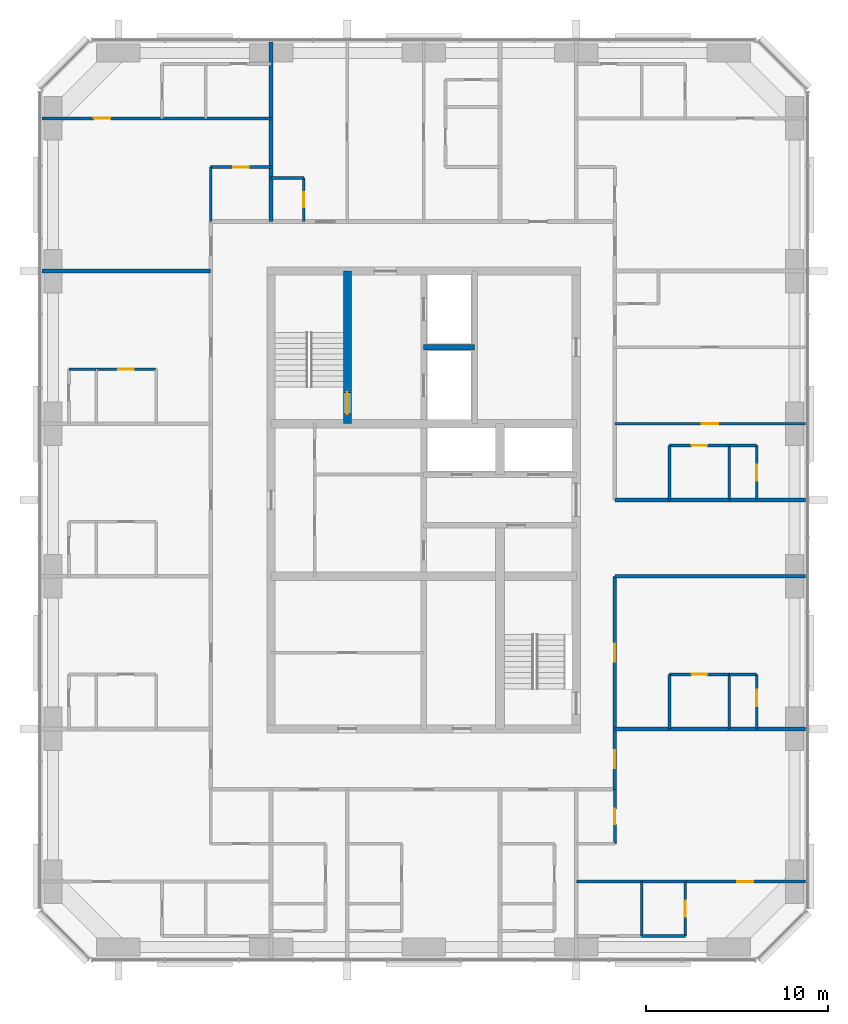
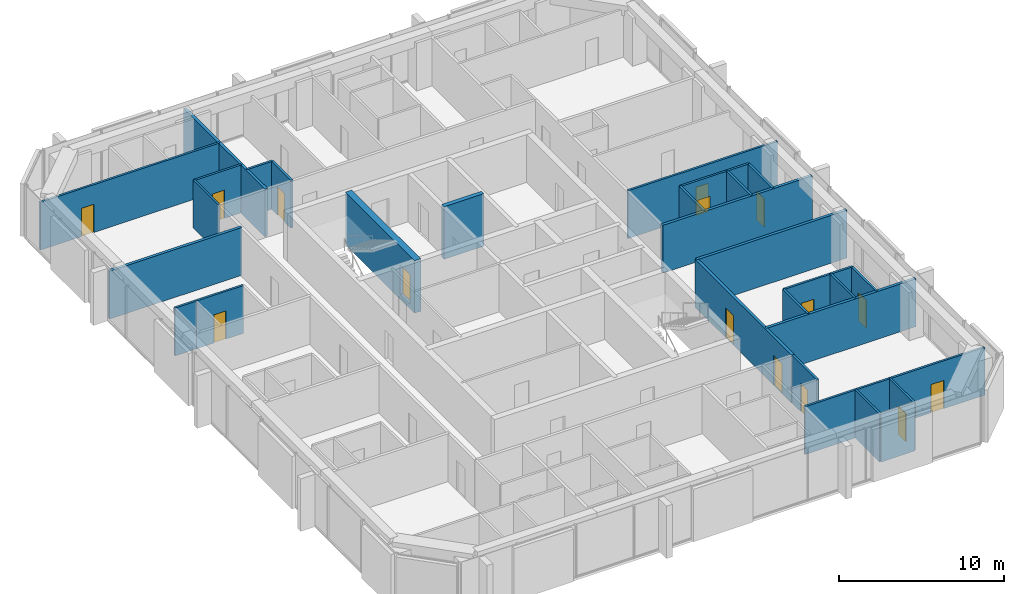
# One storey, part 9 of 12: 31 walls, 15 doors, 15 openings.
"""IFC4 building model written with IfcOpenShell, lengths in metres."""

from ifc_helpers import new_model, si_unit, direction, frame, frame_2d, origin, place, context, subcontext, project, spatial, rectangle, extrude, material, layer, layer_set, type_object, element, fill, save


model = new_model("IFC4")

# Units and contexts
model_context = context("Model", 3, precision=1e-05, world=origin(), true_north=direction((0.0, 1.0)))
body_context = subcontext(model_context, "Body", "Model", "MODEL_VIEW")
ifc_project = project(units=[si_unit("LENGTHUNIT", "METRE"), si_unit("AREAUNIT", "SQUARE_METRE"), si_unit("VOLUMEUNIT", "CUBIC_METRE"), si_unit("PLANEANGLEUNIT", "RADIAN"), si_unit("MASSUNIT", "GRAM", prefix="KILO")], contexts=[model_context])

# Site, building, storey
site_placement = place(None, origin())
site = spatial("IfcSite", under=ifc_project, at=site_placement, CompositionType="ELEMENT")
building_placement = place(site_placement, origin())
building = spatial("IfcBuilding", under=site, at=building_placement, Name="Dunama Terrace Hotel", CompositionType="ELEMENT")
storey_placement = place(building_placement, frame((0.0, 0.0, 249.0)))
storey = spatial("IfcBuildingStorey", under=building, at=storey_placement, Name="L64", CompositionType="ELEMENT", Elevation=249.0)

# Wall
ifc_material_1 = material(Name="Gypsum board partition", Category="masonry")
ifc_layer_1 = layer(ifc_material_1, 0.14990234375)
ifc_layer_set_1 = layer_set([ifc_layer_1], Name="Bathroom partition 150")
wall_type_1 = type_object("IfcWallType", Name="Bathroom partition 150", PredefinedType="PARTITIONING", material=ifc_layer_set_1)
wall_1_placement = place(storey_placement, frame((21.875, 44.72509765625, 0.0), z_axis=(0.0, 0.0, 1.0), x_axis=(0.0, 1.0, 0.0)))
element("IfcWall", 1, at=wall_1_placement, inside=storey, type_object=wall_type_1, Name="Bathroom partition 150 L64", PredefinedType="PARTITIONING", context=body_context, shape_type="SweptSolid", body=[
    extrude(rectangle(XDim=3.0, YDim=0.14990234375, at=frame_2d((1.5, 0.0))), origin(), (0.0, 0.0, 1.0), 3.550048828125),
])

# Wall, opening, door
wall_2_placement = place(storey_placement, frame((27.0, 44.72509765625, 0.0), z_axis=(0.0, 0.0, 1.0), x_axis=(0.0, 1.0, 0.0)))
wall_2 = element("IfcWall", 2, at=wall_2_placement, inside=storey, type_object=wall_type_1, Name="Bathroom partition 150 L64", PredefinedType="PARTITIONING", context=body_context, shape_type="SweptSolid", body=[
    extrude(rectangle(XDim=2.39990234375, YDim=0.14990234375, at=frame_2d((1.199951171875, 0.0))), origin(), (0.0, 0.0, 1.0), 3.550048828125),
])
opening_1_placement = place(wall_2_placement, frame((0.77490234375, 0.0, 0.0)))
opening_1 = element("IfcOpeningElement", 3, at=opening_1_placement, cuts=wall_2, Name="Opening L62-64-026", PredefinedType="OPENING", context=body_context, shape_type="SweptSolid", body=[
    extrude(rectangle(XDim=0.85009765625, YDim=2.10009765625, at=frame_2d((0.425048828125, 1.050048828125))), frame((0.0, 0.0849609375, 0.0), z_axis=(0.0, -1.0, 0.0), x_axis=(1.0, 0.0, 0.0)), (0.0, 0.0, 1.0), 0.169921875),
])
ifc_material_2 = material(Name="Timber door with steel frame", Category="steel")
door_type_1 = type_object("IfcDoorType", Name="Bathroom door 850", OperationType="SINGLE_SWING_LEFT", PredefinedType="DOOR", material=ifc_material_2)
door_1_placement = place(opening_1_placement, origin())
door_1 = element("IfcDoor", 4, at=door_1_placement, inside=storey, type_object=door_type_1, Name="Door to powder room L62-64-026, type D2", OperationType="SINGLE_SWING_LEFT", OverallHeight=2.10009765625, OverallWidth=0.85009765625, PredefinedType="DOOR", context=body_context, shape_type="SweptSolid", body=[
    extrude(rectangle(XDim=0.85009765625, YDim=2.10009765625, at=frame_2d((0.425048828125, 1.050048828125))), frame((0.0, 0.02490234375, 0.0), z_axis=(0.0, -1.0, 0.0), x_axis=(1.0, 0.0, 0.0)), (0.0, 0.0, 1.0), 0.050048828125),
])
fill(opening_1, door_1)

wall_3_placement = place(storey_placement, frame((44.125, 10.47509765625, 0.0), z_axis=(0.0, 0.0, 1.0), x_axis=(0.0, 1.0, 0.0)))
wall_3 = element("IfcWall", 5, at=wall_3_placement, inside=storey, type_object=wall_type_1, Name="Bathroom partition 150 L64", PredefinedType="PARTITIONING", context=body_context, shape_type="SweptSolid", body=[
    extrude(rectangle(XDim=3.0, YDim=0.14990234375, at=frame_2d((1.5, 0.0))), origin(), (0.0, 0.0, 1.0), 3.550048828125),
])
opening_2_placement = place(wall_3_placement, frame((1.074951171875, 0.0, 0.0)))
opening_2 = element("IfcOpeningElement", 6, at=opening_2_placement, cuts=wall_3, Name="Opening L62-64-047", PredefinedType="OPENING", context=body_context, shape_type="SweptSolid", body=[
    extrude(rectangle(XDim=0.85009765625, YDim=2.10009765625, at=frame_2d((0.425048828125, 1.050048828125))), frame((0.0, 0.0849609375, 0.0), z_axis=(0.0, -1.0, 0.0), x_axis=(1.0, 0.0, 0.0)), (0.0, 0.0, 1.0), 0.169921875),
])
door_2_placement = place(opening_2_placement, origin())
door_2 = element("IfcDoor", 7, at=door_2_placement, inside=storey, type_object=door_type_1, Name="Door to powder room L62-64-047, type D2", OperationType="SINGLE_SWING_RIGHT", OverallHeight=2.10009765625, OverallWidth=0.85009765625, PredefinedType="DOOR", context=body_context, shape_type="SweptSolid", body=[
    extrude(rectangle(XDim=0.85009765625, YDim=2.10009765625, at=frame_2d((0.425048828125, 1.050048828125))), frame((0.0, 0.02490234375, 0.0), z_axis=(0.0, -1.0, 0.0), x_axis=(1.0, 0.0, 0.0)), (0.0, 0.0, 1.0), 0.050048828125),
])
fill(opening_2, door_2)

# Walls
for number, where, z_axis, x_axis, name in (
    (8, (47.125, 16.800048828125, 0.0), (0.0, 0.0, 1.0), (0.0, 1.0, 0.0), "Bathroom partition 150 L64"),
    (9, (47.125, 29.39990234375, 0.0), (0.0, 0.0, 1.0), (0.0, 1.0, 0.0), "Bathroom partition 150 L64"),
):
    element("IfcWall", number, at=place(storey_placement, frame(where, z_axis=z_axis, x_axis=x_axis)), inside=storey, type_object=wall_type_1, Name=name, PredefinedType="PARTITIONING", context=body_context, shape_type="SweptSolid", body=[
        extrude(rectangle(XDim=3.0, YDim=0.14990234375, at=frame_2d((1.5, 0.0))), origin(), (0.0, 0.0, 1.0), 3.550048828125),
    ])

# Wall, opening, door
wall_4_placement = place(storey_placement, frame((47.125, 19.800048828125, 0.0), z_axis=(0.0, 0.0, 1.0), x_axis=(1.0, 0.0, 0.0)))
wall_4 = element("IfcWall", 10, at=wall_4_placement, inside=storey, type_object=wall_type_1, Name="Bathroom partition 150 L64", PredefinedType="PARTITIONING", context=body_context, shape_type="SweptSolid", body=[
    extrude(rectangle(XDim=3.300048828125, YDim=0.14990234375, at=frame_2d((1.64990234375, 0.0))), origin(), (0.0, 0.0, 1.0), 3.550048828125),
])
opening_3_placement = place(wall_4_placement, frame((1.22509765625, 0.0, 0.0)))
opening_3 = element("IfcOpeningElement", 11, at=opening_3_placement, cuts=wall_4, Name="Opening L62-64-017", PredefinedType="OPENING", context=body_context, shape_type="SweptSolid", body=[
    extrude(rectangle(XDim=0.85009765625, YDim=2.10009765625, at=frame_2d((0.425048828125, 1.050048828125))), frame((0.0, 0.0849609375, 0.0), z_axis=(0.0, -1.0, 0.0), x_axis=(1.0, 0.0, 0.0)), (0.0, 0.0, 1.0), 0.169921875),
])
door_3_placement = place(opening_3_placement, frame((0.85009765625, 0.0, 0.0), z_axis=(0.0, 0.0, 1.0), x_axis=(-1.0, 0.0, 0.0)))
door_3 = element("IfcDoor", 12, at=door_3_placement, inside=storey, type_object=door_type_1, Name="Door to en-suite bathroom L62-64-017, type D2", OperationType="SINGLE_SWING_LEFT", OverallHeight=2.10009765625, OverallWidth=0.85009765625, PredefinedType="DOOR", context=body_context, shape_type="SweptSolid", body=[
    extrude(rectangle(XDim=0.85009765625, YDim=2.10009765625, at=frame_2d((0.425048828125, 1.050048828125))), frame((0.0, 0.025146484375, 0.0), z_axis=(0.0, -1.0, 0.0), x_axis=(1.0, 0.0, 0.0)), (0.0, 0.0, 1.0), 0.050048828125),
])
fill(opening_3, door_3)

wall_5_placement = place(storey_placement, frame((47.125, 32.39990234375, 0.0), z_axis=(0.0, 0.0, 1.0), x_axis=(1.0, 0.0, 0.0)))
wall_5 = element("IfcWall", 13, at=wall_5_placement, inside=storey, type_object=wall_type_1, Name="Bathroom partition 150 L64", PredefinedType="PARTITIONING", context=body_context, shape_type="SweptSolid", body=[
    extrude(rectangle(XDim=3.300048828125, YDim=0.14990234375, at=frame_2d((1.64990234375, 0.0))), origin(), (0.0, 0.0, 1.0), 3.550048828125),
])
opening_4_placement = place(wall_5_placement, frame((1.22509765625, 0.0, 0.0)))
opening_4 = element("IfcOpeningElement", 14, at=opening_4_placement, cuts=wall_5, Name="Opening L62-64-023", PredefinedType="OPENING", context=body_context, shape_type="SweptSolid", body=[
    extrude(rectangle(XDim=0.85009765625, YDim=2.10009765625, at=frame_2d((0.425048828125, 1.050048828125))), frame((0.0, 0.0849609375, 0.0), z_axis=(0.0, -1.0, 0.0), x_axis=(1.0, 0.0, 0.0)), (0.0, 0.0, 1.0), 0.169921875),
])
door_4_placement = place(opening_4_placement, frame((0.85009765625, 0.0, 0.0), z_axis=(0.0, 0.0, 1.0), x_axis=(-1.0, 0.0, 0.0)))
door_4 = element("IfcDoor", 15, at=door_4_placement, inside=storey, type_object=door_type_1, Name="Door to en-suite bathroom L62-64-023, type D2", OperationType="SINGLE_SWING_RIGHT", OverallHeight=2.10009765625, OverallWidth=0.85009765625, PredefinedType="DOOR", context=body_context, shape_type="SweptSolid", body=[
    extrude(rectangle(XDim=0.85009765625, YDim=2.10009765625, at=frame_2d((0.425048828125, 1.050048828125))), frame((0.0, 0.025146484375, 0.0), z_axis=(0.0, -1.0, 0.0), x_axis=(1.0, 0.0, 0.0)), (0.0, 0.0, 1.0), 0.050048828125),
])
fill(opening_4, door_4)

wall_6_placement = place(storey_placement, frame((15.574951171875, 36.60009765625, 0.0), z_axis=(0.0, 0.0, 1.0), x_axis=(1.0, 0.0, 0.0)))
wall_6 = element("IfcWall", 16, at=wall_6_placement, inside=storey, type_object=wall_type_1, Name="Bathroom partition 150 L64", PredefinedType="PARTITIONING", context=body_context, shape_type="SweptSolid", body=[
    extrude(rectangle(XDim=3.300048828125, YDim=0.14990234375, at=frame_2d((1.64990234375, 0.0))), origin(), (0.0, 0.0, 1.0), 3.550048828125),
])
opening_5_placement = place(wall_6_placement, frame((1.22509765625, 0.0, 0.0)))
opening_5 = element("IfcOpeningElement", 17, at=opening_5_placement, cuts=wall_6, Name="Opening L62-64-039", PredefinedType="OPENING", context=body_context, shape_type="SweptSolid", body=[
    extrude(rectangle(XDim=0.85009765625, YDim=2.10009765625, at=frame_2d((0.425048828125, 1.050048828125))), frame((0.0, 0.0849609375, 0.0), z_axis=(0.0, -1.0, 0.0), x_axis=(1.0, 0.0, 0.0)), (0.0, 0.0, 1.0), 0.169921875),
])
door_5_placement = place(opening_5_placement, frame((0.85009765625, 0.0, 0.0), z_axis=(0.0, 0.0, 1.0), x_axis=(-1.0, 0.0, 0.0)))
door_5 = element("IfcDoor", 18, at=door_5_placement, inside=storey, type_object=door_type_1, Name="Door to en-suite bathroom L62-64-039, type D2", OperationType="SINGLE_SWING_LEFT", OverallHeight=2.10009765625, OverallWidth=0.85009765625, PredefinedType="DOOR", context=body_context, shape_type="SweptSolid", body=[
    extrude(rectangle(XDim=0.85009765625, YDim=2.10009765625, at=frame_2d((0.425048828125, 1.050048828125))), frame((0.0, 0.025146484375, 0.0), z_axis=(0.0, -1.0, 0.0), x_axis=(1.0, 0.0, 0.0)), (0.0, 0.0, 1.0), 0.050048828125),
])
fill(opening_5, door_5)

# Wall
wall_7_placement = place(storey_placement, frame((25.199951171875, 47.125, 0.0), z_axis=(0.0, 0.0, 1.0), x_axis=(1.0, 0.0, 0.0)))
element("IfcWall", 19, at=wall_7_placement, inside=storey, type_object=wall_type_1, Name="Bathroom partition 150 L64", PredefinedType="PARTITIONING", context=body_context, shape_type="SweptSolid", body=[
    extrude(rectangle(XDim=1.800048828125, YDim=0.14990234375, at=frame_2d((0.89990234375, 0.0))), origin(), (0.0, 0.0, 1.0), 3.550048828125),
])

# Wall, opening, door
wall_8_placement = place(storey_placement, frame((21.875, 47.72509765625, 0.0), z_axis=(0.0, 0.0, 1.0), x_axis=(1.0, 0.0, 0.0)))
wall_8 = element("IfcWall", 20, at=wall_8_placement, inside=storey, type_object=wall_type_1, Name="Bathroom partition 150 L64", PredefinedType="PARTITIONING", context=body_context, shape_type="SweptSolid", body=[
    extrude(rectangle(XDim=3.324951171875, YDim=0.14990234375, at=frame_2d((1.66259765625, 0.0))), origin(), (0.0, 0.0, 1.0), 3.550048828125),
])
opening_6_placement = place(wall_8_placement, frame((1.238037109375, 0.0, 0.0)))
opening_6 = element("IfcOpeningElement", 21, at=opening_6_placement, cuts=wall_8, Name="Opening L62-64-057", PredefinedType="OPENING", context=body_context, shape_type="SweptSolid", body=[
    extrude(rectangle(XDim=0.85009765625, YDim=2.10009765625, at=frame_2d((0.425048828125, 1.050048828125))), frame((0.0, 0.0849609375, 0.0), z_axis=(0.0, -1.0, 0.0), x_axis=(1.0, 0.0, 0.0)), (0.0, 0.0, 1.0), 0.169921875),
])
door_6_placement = place(opening_6_placement, frame((0.85009765625, 0.0, 0.0), z_axis=(0.0, 0.0, 1.0), x_axis=(-1.0, 0.0, 0.0)))
door_6 = element("IfcDoor", 22, at=door_6_placement, inside=storey, type_object=door_type_1, Name="Door to powder room L62-64-057, type D2", OperationType="SINGLE_SWING_LEFT", OverallHeight=2.10009765625, OverallWidth=0.85009765625, PredefinedType="DOOR", context=body_context, shape_type="SweptSolid", body=[
    extrude(rectangle(XDim=0.85009765625, YDim=2.10009765625, at=frame_2d((0.425048828125, 1.050048828125))), frame((0.0, 0.025146484375, 0.0), z_axis=(0.0, -1.0, 0.0), x_axis=(1.0, 0.0, 0.0)), (0.0, 0.0, 1.0), 0.050048828125),
])
fill(opening_6, door_6)

# Wall
ifc_material_3 = material(Name="Concrete C50/60", Category="concrete")
ifc_layer_2 = layer(ifc_material_3, 0.300048828125)
ifc_layer_set_2 = layer_set([ifc_layer_2], Name="Core inner wall 300")
wall_type_2 = type_object("IfcWallType", Name="Core inner wall 300", PredefinedType="SHEAR", material=ifc_layer_set_2)
wall_9_placement = place(storey_placement, frame((33.60009765625, 37.800048828125, -0.35009765625), z_axis=(0.0, 0.0, 1.0), x_axis=(1.0, 0.0, 0.0)))
element("IfcWall", 23, at=wall_9_placement, inside=storey, type_object=wall_type_2, Name="Core inner wall 300 L64", PredefinedType="SHEAR", context=body_context, shape_type="SweptSolid", body=[
    extrude(rectangle(XDim=2.7998046875, YDim=0.300048828125, at=frame_2d((1.39990234375, 0.0))), origin(), (0.0, 0.0, 1.0), 3.900146484375),
])

# Wall, opening, door
ifc_material_4 = material(Name="Concrete C50/60", Category="concrete")
ifc_layer_3 = layer(ifc_material_4, 0.449951171875)
ifc_layer_set_3 = layer_set([ifc_layer_3], Name="Core inner wall 450")
wall_type_3 = type_object("IfcWallType", Name="Core inner wall 450", PredefinedType="SHEAR", material=ifc_layer_set_3)
wall_10_placement = place(storey_placement, frame((29.39990234375, 33.60009765625, -0.35009765625), z_axis=(0.0, 0.0, 1.0), x_axis=(0.0, 1.0, 0.0)))
wall_10 = element("IfcWall", 24, at=wall_10_placement, inside=storey, type_object=wall_type_3, Name="Core inner wall 450 L64", PredefinedType="SHEAR", context=body_context, shape_type="SweptSolid", body=[
    extrude(rectangle(XDim=8.39990234375, YDim=0.449951171875, at=frame_2d((4.199951171875, 0.0))), origin(), (0.0, 0.0, 1.0), 3.900146484375),
])
opening_7_placement = place(wall_10_placement, frame((0.52490234375, 0.0, 0.35009765625)))
opening_7 = element("IfcOpeningElement", 25, at=opening_7_placement, cuts=wall_10, Name="Opening L62-64-001", PredefinedType="OPENING", context=body_context, shape_type="SweptSolid", body=[
    extrude(rectangle(XDim=1.199951171875, YDim=2.199951171875, at=frame_2d((0.60009765625, 1.10009765625))), frame((0.0, 0.23486328125, 0.0), z_axis=(0.0, -1.0, 0.0), x_axis=(1.0, 0.0, 0.0)), (0.0, 0.0, 1.0), 0.469970703125),
])
ifc_material_5 = material(Name="Timber door with steel frame", Category="steel")
door_type_2 = type_object("IfcDoorType", Name="Stair door 1200", OperationType="SINGLE_SWING_LEFT", PredefinedType="DOOR", material=ifc_material_5)
door_7_placement = place(opening_7_placement, origin())
door_7 = element("IfcDoor", 26, at=door_7_placement, inside=storey, type_object=door_type_2, Name="Stair door ST1 L62-64-001, type D5", OperationType="SINGLE_SWING_LEFT", OverallHeight=2.199951171875, OverallWidth=1.199951171875, PredefinedType="DOOR", context=body_context, shape_type="SweptSolid", body=[
    extrude(rectangle(XDim=1.199951171875, YDim=2.199951171875, at=frame_2d((0.60009765625, 1.10009765625))), frame((0.0, 0.02490234375, 0.0), z_axis=(0.0, -1.0, 0.0), x_axis=(1.0, 0.0, 0.0)), (0.0, 0.0, 1.0), 0.050048828125),
])
fill(opening_7, door_7)

# Wall
ifc_material_6 = material(Name="Concrete blockwork", Category="masonry")
ifc_layer_4 = layer(ifc_material_6, 0.199951171875)
ifc_layer_set_4 = layer_set([ifc_layer_4], Name="Corridor partition 200")
wall_type_4 = type_object("IfcWallType", Name="Corridor partition 200", PredefinedType="PARTITIONING", material=ifc_layer_set_4)
wall_11_placement = place(storey_placement, frame((44.125, 29.39990234375, 0.0), z_axis=(0.0, 0.0, 1.0), x_axis=(1.0, 0.0, 0.0)))
element("IfcWall", 27, at=wall_11_placement, inside=storey, type_object=wall_type_4, Name="Corridor partition 200 L64", PredefinedType="PARTITIONING", context=body_context, shape_type="SweptSolid", body=[
    extrude(rectangle(XDim=10.492919921875, YDim=0.199951171875, at=frame_2d((5.24658203125, 0.0))), origin(), (0.0, 0.0, 1.0), 3.550048828125),
])

# Wall, openings, doors
wall_12_placement = place(storey_placement, frame((44.125, 25.199951171875, 0.0), z_axis=(0.0, 0.0, 1.0), x_axis=(0.0, -1.0, 0.0)))
wall_12 = element("IfcWall", 28, at=wall_12_placement, inside=storey, type_object=wall_type_4, Name="Corridor partition 200 L64", PredefinedType="PARTITIONING", context=body_context, shape_type="SweptSolid", body=[
    extrude(rectangle(XDim=11.724853515625, YDim=0.199951171875, at=frame_2d((5.8623046875, 0.0))), origin(), (0.0, 0.0, 1.0), 3.550048828125),
])
opening_8_placement = place(wall_12_placement, frame((3.699951171875, 0.0, 0.0)))
opening_8 = element("IfcOpeningElement", 29, at=opening_8_placement, cuts=wall_12, Name="Opening L62-64-016", PredefinedType="OPENING", context=body_context, shape_type="SweptSolid", body=[
    extrude(rectangle(XDim=1.0, YDim=2.199951171875, at=frame_2d((0.5, 1.10009765625))), frame((0.0, 0.10986328125, 0.0), z_axis=(0.0, -1.0, 0.0), x_axis=(1.0, 0.0, 0.0)), (0.0, 0.0, 1.0), 0.219970703125),
])
opening_9_placement = place(wall_12_placement, frame((9.56298828125, 0.0, 0.0)))
opening_9 = element("IfcOpeningElement", 30, at=opening_9_placement, cuts=wall_12, Name="Opening L62-64-046", PredefinedType="OPENING", context=body_context, shape_type="SweptSolid", body=[
    extrude(rectangle(XDim=1.0, YDim=2.199951171875, at=frame_2d((0.5, 1.10009765625))), frame((0.0, 0.10986328125, 0.0), z_axis=(0.0, -1.0, 0.0), x_axis=(1.0, 0.0, 0.0)), (0.0, 0.0, 1.0), 0.219970703125),
])
ifc_material_7 = material(Name="Timber door with steel frame", Category="steel")
door_type_3 = type_object("IfcDoorType", Name="Guest room door 1000", OperationType="SINGLE_SWING_LEFT", PredefinedType="DOOR", material=ifc_material_7)
door_8_placement = place(opening_8_placement, origin())
door_8 = element("IfcDoor", 31, at=door_8_placement, inside=storey, type_object=door_type_3, Name="Door to junior suite L62-64-016, type D1", OperationType="SINGLE_SWING_LEFT", OverallHeight=2.199951171875, OverallWidth=1.0, PredefinedType="DOOR", context=body_context, shape_type="SweptSolid", body=[
    extrude(rectangle(XDim=1.0, YDim=2.199951171875, at=frame_2d((0.5, 1.10009765625))), frame((0.0, 0.02490234375, 0.0), z_axis=(0.0, -1.0, 0.0), x_axis=(1.0, 0.0, 0.0)), (0.0, 0.0, 1.0), 0.050048828125),
])
fill(opening_8, door_8)
door_9_placement = place(opening_9_placement, origin())
door_9 = element("IfcDoor", 32, at=door_9_placement, inside=storey, type_object=door_type_3, Name="Door to grand corner suite living room L62-64-046, type D1", OperationType="SINGLE_SWING_RIGHT", OverallHeight=2.199951171875, OverallWidth=1.0, PredefinedType="DOOR", context=body_context, shape_type="SweptSolid", body=[
    extrude(rectangle(XDim=1.0, YDim=2.199951171875, at=frame_2d((0.5, 1.10009765625))), frame((0.0, 0.02490234375, 0.0), z_axis=(0.0, -1.0, 0.0), x_axis=(1.0, 0.0, 0.0)), (0.0, 0.0, 1.0), 0.050048828125),
])
fill(opening_9, door_9)

# Walls
wall_13_placement = place(storey_placement, frame((54.617919921875, 25.199951171875, 0.0), z_axis=(0.0, 0.0, 1.0), x_axis=(-1.0, 0.0, 0.0)))
element("IfcWall", 33, at=wall_13_placement, inside=storey, type_object=wall_type_4, Name="Corridor partition 200 L64", PredefinedType="PARTITIONING", context=body_context, shape_type="SweptSolid", body=[
    extrude(rectangle(XDim=10.492919921875, YDim=0.199951171875, at=frame_2d((5.24658203125, 0.0))), origin(), (0.0, 0.0, 1.0), 3.550048828125),
])
ifc_material_8 = material(Name="Concrete blockwork", Category="masonry")
ifc_layer_5 = layer(ifc_material_8, 0.199951171875)
ifc_layer_set_5 = layer_set([ifc_layer_5], Name="Party wall 200")
wall_type_5 = type_object("IfcWallType", Name="Party wall 200", PredefinedType="PARTITIONING", material=ifc_layer_set_5)
wall_14_placement = place(storey_placement, frame((25.199951171875, 44.72509765625, 0.0), z_axis=(0.0, 0.0, 1.0), x_axis=(0.0, 1.0, 0.0)))
element("IfcWall", 34, at=wall_14_placement, inside=storey, type_object=wall_type_5, Name="Party wall 200 L64", PredefinedType="PARTITIONING", context=body_context, shape_type="SweptSolid", body=[
    extrude(rectangle(XDim=9.892822265625, YDim=0.199951171875, at=frame_2d((4.9462890625, 0.0))), origin(), (0.0, 0.0, 1.0), 3.550048828125),
])
wall_15_placement = place(storey_placement, frame((44.125, 16.800048828125, 0.0), z_axis=(0.0, 0.0, 1.0), x_axis=(1.0, 0.0, 0.0)))
element("IfcWall", 35, at=wall_15_placement, inside=storey, type_object=wall_type_5, Name="Party wall 200 L64", PredefinedType="PARTITIONING", context=body_context, shape_type="SweptSolid", body=[
    extrude(rectangle(XDim=10.492919921875, YDim=0.199951171875, at=frame_2d((5.24658203125, 0.0))), origin(), (0.0, 0.0, 1.0), 3.550048828125),
])
wall_16_placement = place(storey_placement, frame((12.58203125, 42.0, 0.0), z_axis=(0.0, 0.0, 1.0), x_axis=(1.0, 0.0, 0.0)))
element("IfcWall", 36, at=wall_16_placement, inside=storey, type_object=wall_type_5, Name="Party wall 200 L64", PredefinedType="PARTITIONING", context=body_context, shape_type="SweptSolid", body=[
    extrude(rectangle(XDim=9.29296875, YDim=0.199951171875, at=frame_2d((4.646484375, 0.0))), origin(), (0.0, 0.0, 1.0), 3.550048828125),
])
ifc_material_9 = material(Name="Gypsum board partition", Category="masonry")
ifc_layer_6 = layer(ifc_material_9, 0.14990234375)
ifc_layer_set_6 = layer_set([ifc_layer_6], Name="Room partition 150")
wall_type_6 = type_object("IfcWallType", Name="Room partition 150", PredefinedType="PARTITIONING", material=ifc_layer_set_6)
wall_17_placement = place(storey_placement, frame((45.60009765625, 5.39990234375, 0.0), z_axis=(0.0, 0.0, 1.0), x_axis=(0.0, 1.0, 0.0)))
element("IfcWall", 37, at=wall_17_placement, inside=storey, type_object=wall_type_6, Name="Room partition 150 L64", PredefinedType="PARTITIONING", context=body_context, shape_type="SweptSolid", body=[
    extrude(rectangle(XDim=3.0, YDim=0.14990234375, at=frame_2d((1.5, 0.0))), origin(), (0.0, 0.0, 1.0), 3.550048828125),
])

# Wall, opening, door
wall_18_placement = place(storey_placement, frame((48.0, 5.39990234375, 0.0), z_axis=(0.0, 0.0, 1.0), x_axis=(0.0, 1.0, 0.0)))
wall_18 = element("IfcWall", 38, at=wall_18_placement, inside=storey, type_object=wall_type_6, Name="Room partition 150 L64", PredefinedType="PARTITIONING", context=body_context, shape_type="SweptSolid", body=[
    extrude(rectangle(XDim=3.0, YDim=0.14990234375, at=frame_2d((1.5, 0.0))), origin(), (0.0, 0.0, 1.0), 3.550048828125),
])
opening_10_placement = place(wall_18_placement, frame((1.050048828125, 0.0, 0.0)))
opening_10 = element("IfcOpeningElement", 39, at=opening_10_placement, cuts=wall_18, Name="Opening L62-64-050", PredefinedType="OPENING", context=body_context, shape_type="SweptSolid", body=[
    extrude(rectangle(XDim=0.89990234375, YDim=2.10009765625, at=frame_2d((0.449951171875, 1.050048828125))), frame((0.0, 0.0849609375, 0.0), z_axis=(0.0, -1.0, 0.0), x_axis=(1.0, 0.0, 0.0)), (0.0, 0.0, 1.0), 0.169921875),
])
ifc_material_10 = material(Name="Timber door with steel frame", Category="steel")
door_type_4 = type_object("IfcDoorType", Name="Suite internal door 900", OperationType="SINGLE_SWING_LEFT", PredefinedType="DOOR", material=ifc_material_10)
door_10_placement = place(opening_10_placement, origin())
door_10 = element("IfcDoor", 40, at=door_10_placement, inside=storey, type_object=door_type_4, Name="Door to dressing room L62-64-050, type D16", OperationType="SINGLE_SWING_LEFT", OverallHeight=2.10009765625, OverallWidth=0.89990234375, PredefinedType="DOOR", context=body_context, shape_type="SweptSolid", body=[
    extrude(rectangle(XDim=0.89990234375, YDim=2.10009765625, at=frame_2d((0.449951171875, 1.050048828125))), frame((0.0, 0.02490234375, 0.0), z_axis=(0.0, -1.0, 0.0), x_axis=(1.0, 0.0, 0.0)), (0.0, 0.0, 1.0), 0.050048828125),
])
fill(opening_10, door_10)

# Walls
for number, where, z_axis, x_axis, name in (
    (41, (50.425048828125, 16.800048828125, 0.0), (0.0, 0.0, 1.0), (0.0, 1.0, 0.0), "Room partition 150 L64"),
    (42, (50.425048828125, 29.39990234375, 0.0), (0.0, 0.0, 1.0), (0.0, 1.0, 0.0), "Room partition 150 L64"),
):
    element("IfcWall", number, at=place(storey_placement, frame(where, z_axis=z_axis, x_axis=x_axis)), inside=storey, type_object=wall_type_6, Name=name, PredefinedType="PARTITIONING", context=body_context, shape_type="SweptSolid", body=[
        extrude(rectangle(XDim=3.0, YDim=0.14990234375, at=frame_2d((1.5, 0.0))), origin(), (0.0, 0.0, 1.0), 3.550048828125),
    ])

# Wall, opening, door
wall_19_placement = place(storey_placement, frame((51.925048828125, 16.800048828125, 0.0), z_axis=(0.0, 0.0, 1.0), x_axis=(0.0, 1.0, 0.0)))
wall_19 = element("IfcWall", 43, at=wall_19_placement, inside=storey, type_object=wall_type_6, Name="Room partition 150 L64", PredefinedType="PARTITIONING", context=body_context, shape_type="SweptSolid", body=[
    extrude(rectangle(XDim=3.0, YDim=0.14990234375, at=frame_2d((1.5, 0.0))), origin(), (0.0, 0.0, 1.0), 3.550048828125),
])
opening_11_placement = place(wall_19_placement, frame((1.25, 0.0, 0.0)))
opening_11 = element("IfcOpeningElement", 44, at=opening_11_placement, cuts=wall_19, Name="Opening L62-64-018", PredefinedType="OPENING", context=body_context, shape_type="SweptSolid", body=[
    extrude(rectangle(XDim=0.89990234375, YDim=2.10009765625, at=frame_2d((0.449951171875, 1.050048828125))), frame((0.0, 0.0849609375, 0.0), z_axis=(0.0, -1.0, 0.0), x_axis=(1.0, 0.0, 0.0)), (0.0, 0.0, 1.0), 0.169921875),
])
door_11_placement = place(opening_11_placement, origin())
door_11 = element("IfcDoor", 45, at=door_11_placement, inside=storey, type_object=door_type_4, Name="Door to walk-in wardrobe L62-64-018, type D16", OperationType="SINGLE_SWING_LEFT", OverallHeight=2.10009765625, OverallWidth=0.89990234375, PredefinedType="DOOR", context=body_context, shape_type="SweptSolid", body=[
    extrude(rectangle(XDim=0.89990234375, YDim=2.10009765625, at=frame_2d((0.449951171875, 1.050048828125))), frame((0.0, 0.02490234375, 0.0), z_axis=(0.0, -1.0, 0.0), x_axis=(1.0, 0.0, 0.0)), (0.0, 0.0, 1.0), 0.050048828125),
])
fill(opening_11, door_11)

wall_20_placement = place(storey_placement, frame((51.925048828125, 29.39990234375, 0.0), z_axis=(0.0, 0.0, 1.0), x_axis=(0.0, 1.0, 0.0)))
wall_20 = element("IfcWall", 46, at=wall_20_placement, inside=storey, type_object=wall_type_6, Name="Room partition 150 L64", PredefinedType="PARTITIONING", context=body_context, shape_type="SweptSolid", body=[
    extrude(rectangle(XDim=3.0, YDim=0.14990234375, at=frame_2d((1.5, 0.0))), origin(), (0.0, 0.0, 1.0), 3.550048828125),
])
opening_12_placement = place(wall_20_placement, frame((1.050048828125, 0.0, 0.0)))
opening_12 = element("IfcOpeningElement", 47, at=opening_12_placement, cuts=wall_20, Name="Opening L62-64-024", PredefinedType="OPENING", context=body_context, shape_type="SweptSolid", body=[
    extrude(rectangle(XDim=0.89990234375, YDim=2.10009765625, at=frame_2d((0.449951171875, 1.050048828125))), frame((0.0, 0.0849609375, 0.0), z_axis=(0.0, -1.0, 0.0), x_axis=(1.0, 0.0, 0.0)), (0.0, 0.0, 1.0), 0.169921875),
])
door_12_placement = place(opening_12_placement, origin())
door_12 = element("IfcDoor", 48, at=door_12_placement, inside=storey, type_object=door_type_4, Name="Door to walk-in wardrobe L62-64-024, type D16", OperationType="SINGLE_SWING_LEFT", OverallHeight=2.10009765625, OverallWidth=0.89990234375, PredefinedType="DOOR", context=body_context, shape_type="SweptSolid", body=[
    extrude(rectangle(XDim=0.89990234375, YDim=2.10009765625, at=frame_2d((0.449951171875, 1.050048828125))), frame((0.0, 0.02490234375, 0.0), z_axis=(0.0, -1.0, 0.0), x_axis=(1.0, 0.0, 0.0)), (0.0, 0.0, 1.0), 0.050048828125),
])
fill(opening_12, door_12)

# Wall
wall_21_placement = place(storey_placement, frame((45.60009765625, 5.39990234375, 0.0), z_axis=(0.0, 0.0, 1.0), x_axis=(1.0, 0.0, 0.0)))
element("IfcWall", 49, at=wall_21_placement, inside=storey, type_object=wall_type_6, Name="Room partition 150 L64", PredefinedType="PARTITIONING", context=body_context, shape_type="SweptSolid", body=[
    extrude(rectangle(XDim=2.39990234375, YDim=0.14990234375, at=frame_2d((1.199951171875, 0.0))), origin(), (0.0, 0.0, 1.0), 3.550048828125),
])

# Wall, opening, door
wall_22_placement = place(storey_placement, frame((42.0, 8.39990234375, 0.0), z_axis=(0.0, 0.0, 1.0), x_axis=(1.0, 0.0, 0.0)))
wall_22 = element("IfcWall", 50, at=wall_22_placement, inside=storey, type_object=wall_type_6, Name="Room partition 150 L64", PredefinedType="PARTITIONING", context=body_context, shape_type="SweptSolid", body=[
    extrude(rectangle(XDim=12.617919921875, YDim=0.14990234375, at=frame_2d((6.30908203125, 0.0))), origin(), (0.0, 0.0, 1.0), 3.550048828125),
])
opening_13_placement = place(wall_22_placement, frame((8.85009765625, 0.0, 0.0)))
opening_13 = element("IfcOpeningElement", 51, at=opening_13_placement, cuts=wall_22, Name="Opening L62-64-048", PredefinedType="OPENING", context=body_context, shape_type="SweptSolid", body=[
    extrude(rectangle(XDim=0.89990234375, YDim=2.10009765625, at=frame_2d((0.449951171875, 1.050048828125))), frame((0.0, 0.0849609375, 0.0), z_axis=(0.0, -1.0, 0.0), x_axis=(1.0, 0.0, 0.0)), (0.0, 0.0, 1.0), 0.169921875),
])
door_13_placement = place(opening_13_placement, frame((0.89990234375, 0.0, 0.0), z_axis=(0.0, 0.0, 1.0), x_axis=(-1.0, 0.0, 0.0)))
door_13 = element("IfcDoor", 52, at=door_13_placement, inside=storey, type_object=door_type_4, Name="Door to grand corner suite bedroom L62-64-048, type D16", OperationType="SINGLE_SWING_LEFT", OverallHeight=2.10009765625, OverallWidth=0.89990234375, PredefinedType="DOOR", context=body_context, shape_type="SweptSolid", body=[
    extrude(rectangle(XDim=0.89990234375, YDim=2.10009765625, at=frame_2d((0.449951171875, 1.050048828125))), frame((0.0, 0.025146484375, 0.0), z_axis=(0.0, -1.0, 0.0), x_axis=(1.0, 0.0, 0.0)), (0.0, 0.0, 1.0), 0.050048828125),
])
fill(opening_13, door_13)

# Walls
for number, where, z_axis, x_axis, name in (
    (53, (50.425048828125, 19.800048828125, 0.0), (0.0, 0.0, 1.0), (1.0, 0.0, 0.0), "Room partition 150 L64"),
    (54, (50.425048828125, 32.39990234375, 0.0), (0.0, 0.0, 1.0), (1.0, 0.0, 0.0), "Room partition 150 L64"),
):
    element("IfcWall", number, at=place(storey_placement, frame(where, z_axis=z_axis, x_axis=x_axis)), inside=storey, type_object=wall_type_6, Name=name, PredefinedType="PARTITIONING", context=body_context, shape_type="SweptSolid", body=[
        extrude(rectangle(XDim=1.5, YDim=0.14990234375, at=frame_2d((0.75, 0.0))), origin(), (0.0, 0.0, 1.0), 3.550048828125),
    ])

# Wall, opening, door
wall_23_placement = place(storey_placement, frame((44.125, 33.60009765625, 0.0), z_axis=(0.0, 0.0, 1.0), x_axis=(1.0, 0.0, 0.0)))
wall_23 = element("IfcWall", 55, at=wall_23_placement, inside=storey, type_object=wall_type_6, Name="Room partition 150 L64", PredefinedType="PARTITIONING", context=body_context, shape_type="SweptSolid", body=[
    extrude(rectangle(XDim=10.492919921875, YDim=0.14990234375, at=frame_2d((5.24658203125, 0.0))), origin(), (0.0, 0.0, 1.0), 3.550048828125),
])
opening_14_placement = place(wall_23_placement, frame((4.787109375, 0.0, 0.0)))
opening_14 = element("IfcOpeningElement", 56, at=opening_14_placement, cuts=wall_23, Name="Opening L62-64-022", PredefinedType="OPENING", context=body_context, shape_type="SweptSolid", body=[
    extrude(rectangle(XDim=0.89990234375, YDim=2.10009765625, at=frame_2d((0.449951171875, 1.050048828125))), frame((0.0, 0.0849609375, 0.0), z_axis=(0.0, -1.0, 0.0), x_axis=(1.0, 0.0, 0.0)), (0.0, 0.0, 1.0), 0.169921875),
])
door_14_placement = place(opening_14_placement, frame((0.89990234375, 0.0, 0.0), z_axis=(0.0, 0.0, 1.0), x_axis=(-1.0, 0.0, 0.0)))
door_14 = element("IfcDoor", 57, at=door_14_placement, inside=storey, type_object=door_type_4, Name="Door to ambassador suite bedroom L62-64-022, type D16", OperationType="SINGLE_SWING_RIGHT", OverallHeight=2.10009765625, OverallWidth=0.89990234375, PredefinedType="DOOR", context=body_context, shape_type="SweptSolid", body=[
    extrude(rectangle(XDim=0.89990234375, YDim=2.10009765625, at=frame_2d((0.449951171875, 1.050048828125))), frame((0.0, 0.025146484375, 0.0), z_axis=(0.0, -1.0, 0.0), x_axis=(1.0, 0.0, 0.0)), (0.0, 0.0, 1.0), 0.050048828125),
])
fill(opening_14, door_14)

# Wall
wall_24_placement = place(storey_placement, frame((14.074951171875, 36.60009765625, 0.0), z_axis=(0.0, 0.0, 1.0), x_axis=(1.0, 0.0, 0.0)))
element("IfcWall", 58, at=wall_24_placement, inside=storey, type_object=wall_type_6, Name="Room partition 150 L64", PredefinedType="PARTITIONING", context=body_context, shape_type="SweptSolid", body=[
    extrude(rectangle(XDim=1.5, YDim=0.14990234375, at=frame_2d((0.75, 0.0))), origin(), (0.0, 0.0, 1.0), 3.550048828125),
])

# Wall, opening, door
wall_25_placement = place(storey_placement, frame((12.58203125, 50.39990234375, 0.0), z_axis=(0.0, 0.0, 1.0), x_axis=(1.0, 0.0, 0.0)))
wall_25 = element("IfcWall", 59, at=wall_25_placement, inside=storey, type_object=wall_type_6, Name="Room partition 150 L64", PredefinedType="PARTITIONING", context=body_context, shape_type="SweptSolid", body=[
    extrude(rectangle(XDim=12.617919921875, YDim=0.14990234375, at=frame_2d((6.30908203125, 0.0))), origin(), (0.0, 0.0, 1.0), 3.550048828125),
])
opening_15_placement = place(wall_25_placement, frame((2.867919921875, 0.0, 0.0)))
opening_15 = element("IfcOpeningElement", 60, at=opening_15_placement, cuts=wall_25, Name="Opening L62-64-058", PredefinedType="OPENING", context=body_context, shape_type="SweptSolid", body=[
    extrude(rectangle(XDim=0.89990234375, YDim=2.10009765625, at=frame_2d((0.449951171875, 1.050048828125))), frame((0.0, 0.0849609375, 0.0), z_axis=(0.0, -1.0, 0.0), x_axis=(1.0, 0.0, 0.0)), (0.0, 0.0, 1.0), 0.169921875),
])
door_15_placement = place(opening_15_placement, origin())
door_15 = element("IfcDoor", 61, at=door_15_placement, inside=storey, type_object=door_type_4, Name="Door to grand corner suite bedroom L62-64-058, type D16", OperationType="SINGLE_SWING_LEFT", OverallHeight=2.10009765625, OverallWidth=0.89990234375, PredefinedType="DOOR", context=body_context, shape_type="SweptSolid", body=[
    extrude(rectangle(XDim=0.89990234375, YDim=2.10009765625, at=frame_2d((0.449951171875, 1.050048828125))), frame((0.0, 0.02490234375, 0.0), z_axis=(0.0, -1.0, 0.0), x_axis=(1.0, 0.0, 0.0)), (0.0, 0.0, 1.0), 0.050048828125),
])
fill(opening_15, door_15)

save(model, "model.ifc")
